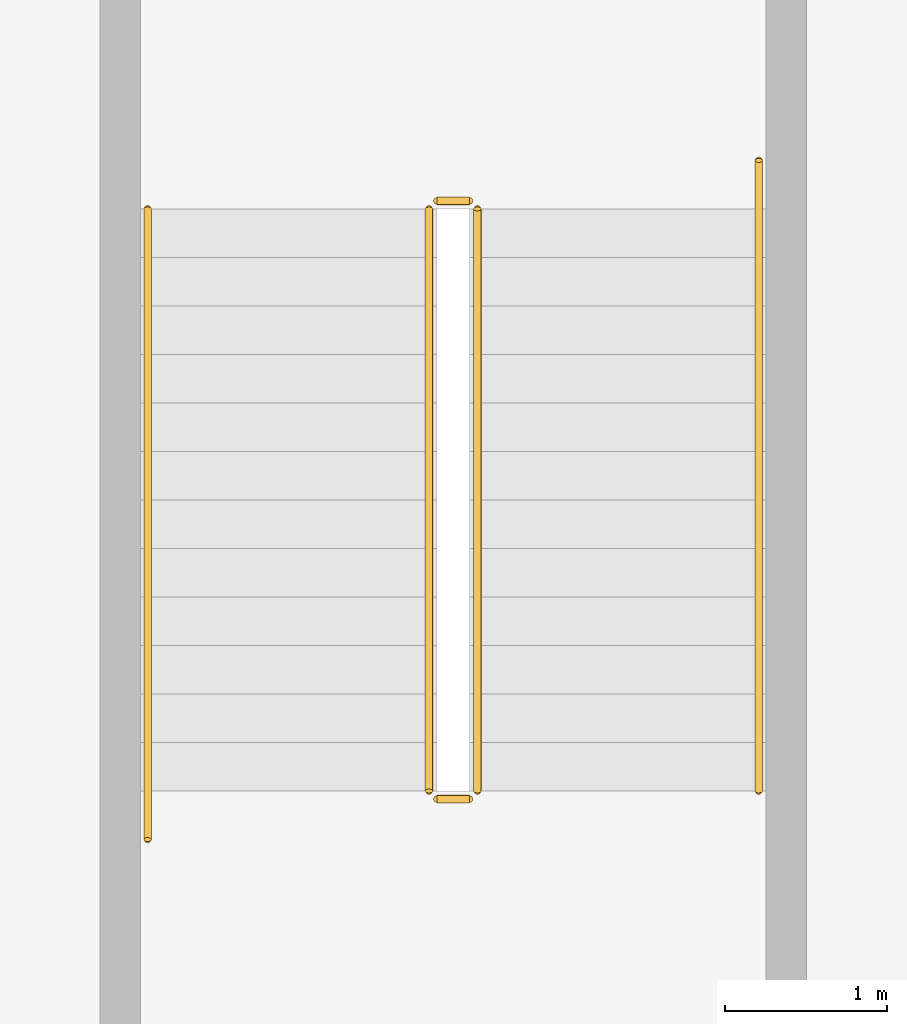
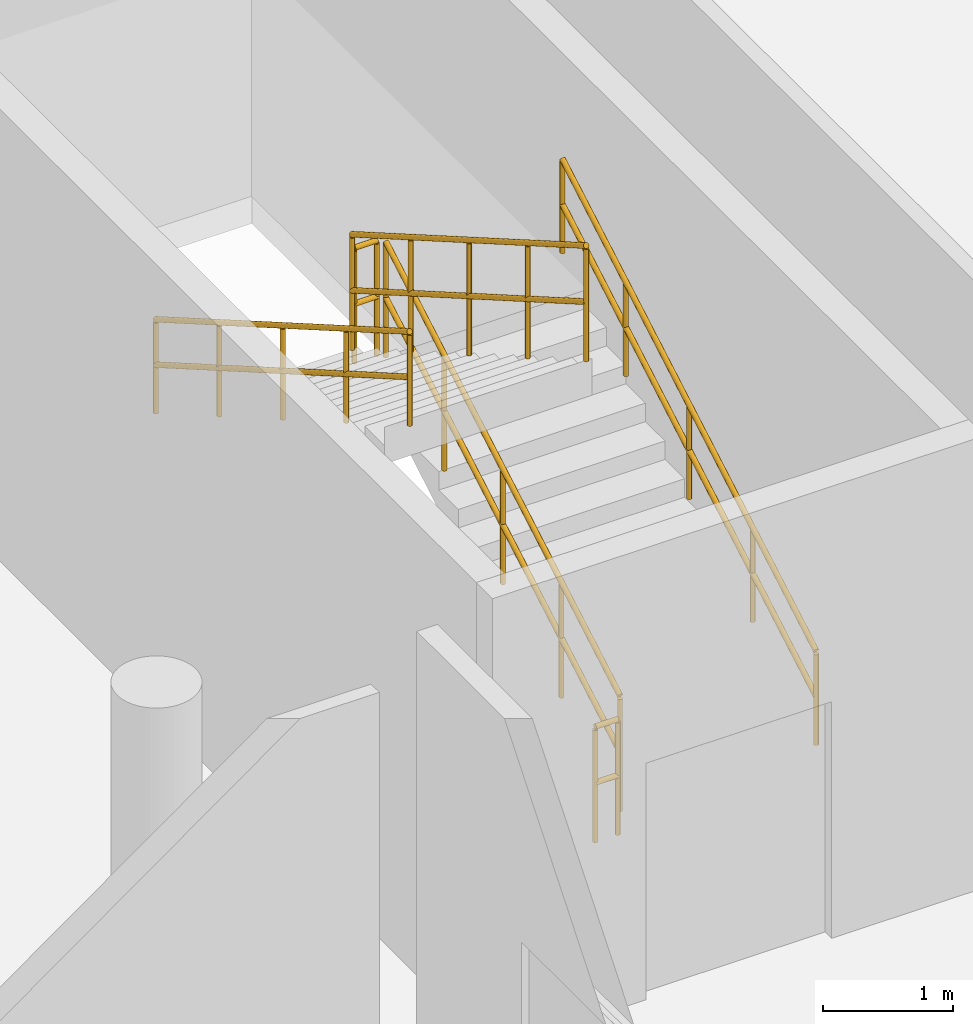
# One storey, part 84 of 85: 6 railings.
"""IFC4 building model written with IfcOpenShell, lengths in metres."""

from ifc_helpers import new_model, si_unit, direction, frame, origin, origin_2d, place, context, subcontext, project, spatial, circle, extrude, material, type_object, element, save


model = new_model("IFC4")

# Units and contexts
model_context = context("Model", 3, precision=1e-05, world=origin(), true_north=direction((0.0, 1.0)))
body_context = subcontext(model_context, "Body", "Model", "MODEL_VIEW")
ifc_project = project(units=[si_unit("LENGTHUNIT", "METRE"), si_unit("AREAUNIT", "SQUARE_METRE"), si_unit("VOLUMEUNIT", "CUBIC_METRE"), si_unit("PLANEANGLEUNIT", "RADIAN"), si_unit("MASSUNIT", "GRAM", prefix="KILO")], contexts=[model_context])

# Site, building, storey
site_placement = place(None, origin())
site = spatial("IfcSite", under=ifc_project, at=site_placement, CompositionType="ELEMENT")
building_placement = place(site_placement, origin())
building = spatial("IfcBuilding", under=site, at=building_placement, Name="Marnock Terrace Opera House", CompositionType="ELEMENT")
storey_placement = place(building_placement, frame((0.0, 0.0, 10.199951171875)))
storey = spatial("IfcBuildingStorey", under=building, at=storey_placement, Name="L02", CompositionType="ELEMENT", Elevation=10.199951171875)

# Railings
ifc_material = material(Name="Architectural bronze balustrade")
railing_type_1 = type_object("IfcRailingType", Name="RL-GUARD-1100", PredefinedType="GUARDRAIL", material=ifc_material)
railing_1_placement = place(storey_placement, frame((141.1298828125, 25.760009765625, 0.173095703125)))
element("IfcRailing", 1, at=railing_1_placement, inside=storey, type_object=railing_type_1, Name="L02 ST-06 stair guard 1", PredefinedType="GUARDRAIL", context=body_context, shape_type="SweptSolid", body=[
    extrude(circle(Radius=0.02392578125, at=origin_2d()), frame((0.0, 0.0, 1.076171875), z_axis=(0.0, 0.866193409371, 0.499708892819), x_axis=(-1.0, 0.0, 0.0)), (0.0, 0.0, 1.0), 4.15625),
    extrude(circle(Radius=0.02392578125, at=origin_2d()), frame((0.0, 0.0, 0.550048828125), z_axis=(0.0, 0.866193409371, 0.499708892819), x_axis=(-1.0, 0.0, 0.0)), (0.0, 0.0, 1.0), 4.15625),
    extrude(circle(Radius=0.02099609375, at=origin_2d()), origin(), (0.0, 0.0, 1.0), 1.052001953125),
    extrude(circle(Radius=0.02099609375, at=origin_2d()), frame((0.0, 0.89990234375, 0.519287109375)), (0.0, 0.0, 1.0), 1.052001953125),
    extrude(circle(Radius=0.02099609375, at=origin_2d()), frame((0.0, 1.800048828125, 1.03857421875)), (0.0, 0.0, 1.0), 1.052001953125),
    extrude(circle(Radius=0.02099609375, at=origin_2d()), frame((0.0, 2.7001953125, 1.5576171875)), (0.0, 0.0, 1.0), 1.052001953125),
    extrude(circle(Radius=0.02099609375, at=origin_2d()), frame((0.0, 3.60009765625, 2.076904296875)), (0.0, 0.0, 1.0), 1.052001953125),
])
railing_2_placement = place(storey_placement, frame((141.080078125, 29.409912109375, 2.25)))
element("IfcRailing", 2, at=railing_2_placement, inside=storey, type_object=railing_type_1, Name="L02 ST-06 stair guard 2", PredefinedType="GUARDRAIL", context=body_context, shape_type="SweptSolid", body=[
    extrude(circle(Radius=0.02392578125, at=origin_2d()), frame((0.0, 0.0, 1.076171875), z_axis=(-1.0, 0.0, 0.0), x_axis=(0.0, -1.0, 0.0)), (0.0, 0.0, 1.0), 0.2001953125),
    extrude(circle(Radius=0.02392578125, at=origin_2d()), frame((0.0, 0.0, 0.550048828125), z_axis=(-1.0, 0.0, 0.0), x_axis=(0.0, -1.0, 0.0)), (0.0, 0.0, 1.0), 0.2001953125),
    extrude(circle(Radius=0.02099609375, at=origin_2d()), origin(), (0.0, 0.0, 1.0), 1.052001953125),
    extrude(circle(Radius=0.02099609375, at=origin_2d()), frame((-0.2001953125, 0.0, 0.0)), (0.0, 0.0, 1.0), 1.052001953125),
])
railing_3_placement = place(storey_placement, frame((140.830078125, 29.360107421875, 2.423095703125)))
element("IfcRailing", 3, at=railing_3_placement, inside=storey, type_object=railing_type_1, Name="L02 ST-06 stair guard 3", PredefinedType="GUARDRAIL", context=body_context, shape_type="SweptSolid", body=[
    extrude(circle(Radius=0.02392578125, at=origin_2d()), frame((0.0, 0.0, 1.076171875), z_axis=(0.0, -0.866193409371, 0.499708892819), x_axis=(1.0, 0.0, 0.0)), (0.0, 0.0, 1.0), 4.15625),
    extrude(circle(Radius=0.02392578125, at=origin_2d()), frame((0.0, 0.0, 0.550048828125), z_axis=(0.0, -0.866193409371, 0.499708892819), x_axis=(1.0, 0.0, 0.0)), (0.0, 0.0, 1.0), 4.15625),
    extrude(circle(Radius=0.02099609375, at=origin_2d()), origin(), (0.0, 0.0, 1.0), 1.052001953125),
    extrude(circle(Radius=0.02099609375, at=origin_2d()), frame((0.0, -0.89990234375, 0.519287109375)), (0.0, 0.0, 1.0), 1.052001953125),
    extrude(circle(Radius=0.02099609375, at=origin_2d()), frame((0.0, -1.800048828125, 1.03857421875)), (0.0, 0.0, 1.0), 1.052001953125),
    extrude(circle(Radius=0.02099609375, at=origin_2d()), frame((0.0, -2.7001953125, 1.5576171875)), (0.0, 0.0, 1.0), 1.052001953125),
    extrude(circle(Radius=0.02099609375, at=origin_2d()), frame((0.0, -3.60009765625, 2.076904296875)), (0.0, 0.0, 1.0), 1.052001953125),
])
railing_4_placement = place(storey_placement, frame((141.080078125, 25.7099609375, 0.0)))
element("IfcRailing", 4, at=railing_4_placement, inside=storey, type_object=railing_type_1, Name="L02 ST-06 stair guard 4", PredefinedType="GUARDRAIL", context=body_context, shape_type="SweptSolid", body=[
    extrude(circle(Radius=0.02392578125, at=origin_2d()), frame((0.0, 0.0, 1.076171875), z_axis=(-1.0, 0.0, 0.0), x_axis=(0.0, -1.0, 0.0)), (0.0, 0.0, 1.0), 0.2001953125),
    extrude(circle(Radius=0.02392578125, at=origin_2d()), frame((0.0, 0.0, 0.550048828125), z_axis=(-1.0, 0.0, 0.0), x_axis=(0.0, -1.0, 0.0)), (0.0, 0.0, 1.0), 0.2001953125),
    extrude(circle(Radius=0.02099609375, at=origin_2d()), origin(), (0.0, 0.0, 1.0), 1.052001953125),
    extrude(circle(Radius=0.02099609375, at=origin_2d()), frame((-0.2001953125, 0.0, 0.0)), (0.0, 0.0, 1.0), 1.052001953125),
])
railing_type_2 = type_object("IfcRailingType", Name="RL-HAND-900", PredefinedType="HANDRAIL", material=ifc_material)
railing_5_placement = place(storey_placement, frame((142.8701171875, 25.760009765625, 0.18505859375)))
element("IfcRailing", 5, at=railing_5_placement, inside=storey, type_object=railing_type_2, Name="L02 ST-06 stair handrail 1", PredefinedType="HANDRAIL", context=body_context, shape_type="SweptSolid", body=[
    extrude(circle(Radius=0.02392578125, at=origin_2d()), frame((0.0, 0.0, 0.8759765625), z_axis=(0.0, 0.866180169578, 0.49973184192), x_axis=(-1.0, 0.0, 0.0)), (0.0, 0.0, 1.0), 4.50244140625),
    extrude(circle(Radius=0.02392578125, at=origin_2d()), frame((0.0, 0.0, 0.449951171875), z_axis=(0.0, 0.866180169578, 0.49973184192), x_axis=(-1.0, 0.0, 0.0)), (0.0, 0.0, 1.0), 4.50244140625),
    extrude(circle(Radius=0.02099609375, at=origin_2d()), origin(), (0.0, 0.0, 1.0), 0.851806640625),
    extrude(circle(Radius=0.02099609375, at=origin_2d()), frame((0.0, 0.97509765625, 0.5625)), (0.0, 0.0, 1.0), 0.851806640625),
    extrude(circle(Radius=0.02099609375, at=origin_2d()), frame((0.0, 1.949951171875, 1.125)), (0.0, 0.0, 1.0), 0.851806640625),
    extrude(circle(Radius=0.02099609375, at=origin_2d()), frame((0.0, 2.9248046875, 1.6875)), (0.0, 0.0, 1.0), 0.851806640625),
    extrude(circle(Radius=0.02099609375, at=origin_2d()), frame((0.0, 3.89990234375, 2.25)), (0.0, 0.0, 1.0), 0.851806640625),
])
railing_6_placement = place(storey_placement, frame((139.090087890625, 29.360107421875, 2.43505859375)))
element("IfcRailing", 6, at=railing_6_placement, inside=storey, type_object=railing_type_2, Name="L02 ST-06 stair handrail 2", PredefinedType="HANDRAIL", context=body_context, shape_type="SweptSolid", body=[
    extrude(circle(Radius=0.02392578125, at=origin_2d()), frame((0.0, 0.0, 0.8759765625), z_axis=(0.0, -0.866193710181, 0.499708371395), x_axis=(1.0, 0.0, 0.0)), (0.0, 0.0, 1.0), 4.502685546875),
    extrude(circle(Radius=0.02392578125, at=origin_2d()), frame((0.0, 0.0, 0.449951171875), z_axis=(0.0, -0.866193710181, 0.499708371395), x_axis=(1.0, 0.0, 0.0)), (0.0, 0.0, 1.0), 4.502685546875),
    extrude(circle(Radius=0.02099609375, at=origin_2d()), origin(), (0.0, 0.0, 1.0), 0.851806640625),
    extrude(circle(Radius=0.02099609375, at=origin_2d()), frame((0.0, -0.97509765625, 0.5625)), (0.0, 0.0, 1.0), 0.851806640625),
    extrude(circle(Radius=0.02099609375, at=origin_2d()), frame((0.0, -1.9501953125, 1.125)), (0.0, 0.0, 1.0), 0.851806640625),
    extrude(circle(Radius=0.02099609375, at=origin_2d()), frame((0.0, -2.925048828125, 1.6875)), (0.0, 0.0, 1.0), 0.851806640625),
    extrude(circle(Radius=0.02099609375, at=origin_2d()), frame((0.0, -3.900146484375, 2.25)), (0.0, 0.0, 1.0), 0.851806640625),
])

save(model, "model.ifc")
